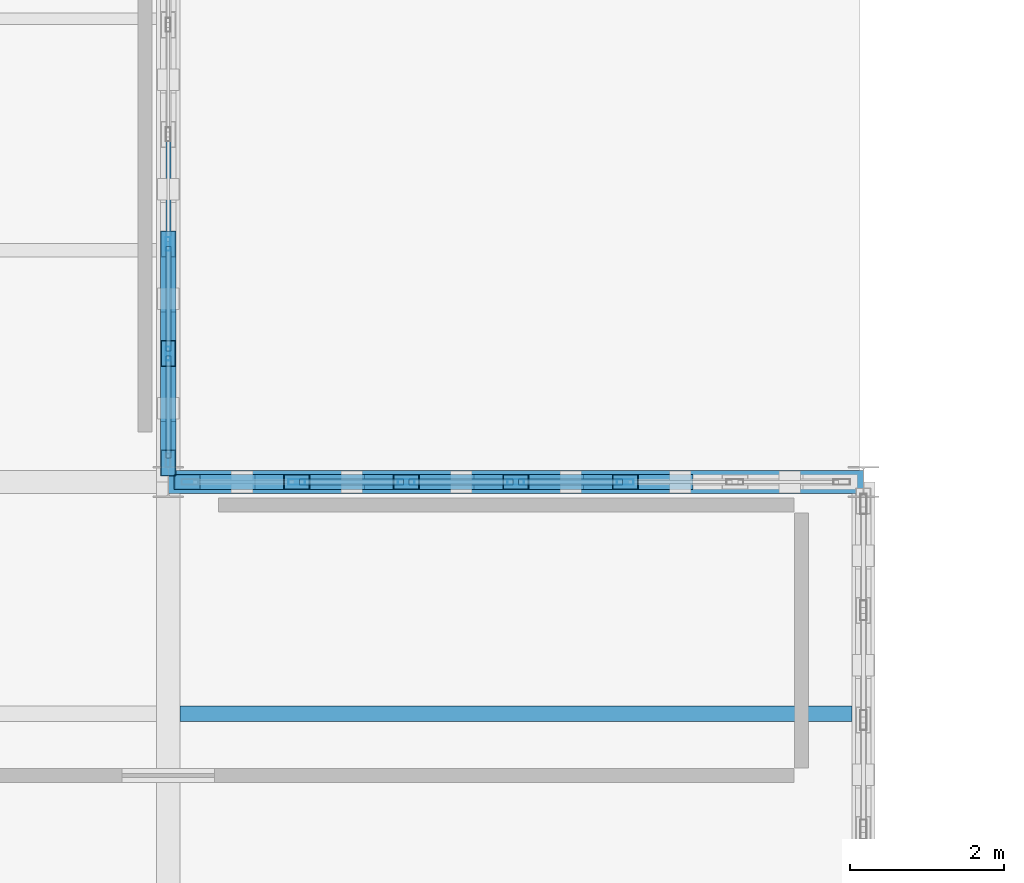
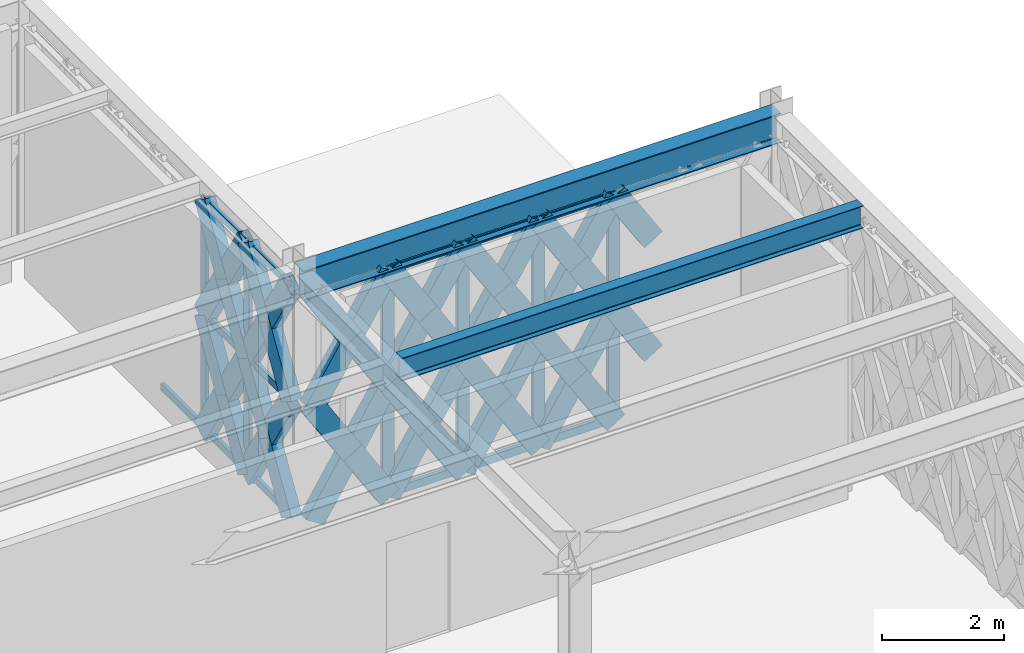
# One storey, part 97 of 140: 60 members, 2 beams, 2 elements without a shape of their own.
"""IFC4 building model written with IfcOpenShell, lengths in metres."""

from ifc_helpers import new_model, si_unit, direction, frame, origin, origin_2d, place, context, subcontext, project, spatial, hollow_rectangle, i_section, extrude, material, material_profile, profile_set, type_object, element, aggregate, save


model = new_model("IFC4")

# Units and contexts
model_context = context("Model", 3, precision=1e-05, world=origin(), true_north=direction((0.0, 1.0)))
body_context = subcontext(model_context, "Body", "Model", "MODEL_VIEW")
ifc_project = project(units=[si_unit("LENGTHUNIT", "METRE"), si_unit("AREAUNIT", "SQUARE_METRE"), si_unit("VOLUMEUNIT", "CUBIC_METRE"), si_unit("PLANEANGLEUNIT", "RADIAN"), si_unit("MASSUNIT", "GRAM", prefix="KILO")], contexts=[model_context])

# Site, building, storey
site_placement = place(None, origin())
site = spatial("IfcSite", under=ifc_project, at=site_placement, CompositionType="ELEMENT")
building_placement = place(site_placement, origin())
building = spatial("IfcBuilding", under=site, at=building_placement, Name="Haizhuo Lancet Aquarium", CompositionType="ELEMENT")
storey_placement = place(building_placement, origin())
storey = spatial("IfcBuildingStorey", under=building, at=storey_placement, Name="L00", CompositionType="ELEMENT", Elevation=0.0)

# Beam
ifc_material_1 = material(Name="Steel S355", Category="steel")
ifc_material_profile_1 = material_profile(ifc_material_1, i_section(OverallWidth=0.300048828125, OverallDepth=0.587890625, WebThickness=0.011962890625, FlangeThickness=0.02001953125, FilletRadius=0.02587890625, at=origin_2d()), Name="HM 588x300x12x20")
ifc_profile_set_1 = profile_set([ifc_material_profile_1], Name="Steel S355")
beam_type_1 = type_object("IfcBeamType", Name="BM-ST-HM588", PredefinedType="BEAM", material=ifc_profile_set_1)
beam_1_placement = place(storey_placement, frame((63.0, 27.0, 4.825927734375), z_axis=(1.0, 0.0, 0.0), x_axis=(0.0, 1.0, 0.0)))
element("IfcBeam", 1, at=beam_1_placement, inside=storey, type_object=beam_type_1, Name="L00 V7 primary girder BM-L00-V7-022", PredefinedType="BEAM", context=body_context, shape_type="SweptSolid", body=[
    extrude(i_section(OverallWidth=0.300048828125, OverallDepth=0.587890625, WebThickness=0.011962890625, FlangeThickness=0.02001953125, FilletRadius=0.02587890625, at=origin_2d()), origin(), (0.0, 0.0, 1.0), 9.0),
])

# Curtain wall, members
ifc_material_2 = material(Name="Aluminium 6063-T6", Category="aluminium")
curtain_wall_type_1 = type_object("IfcCurtainWallType", Name="CWD-8510x4630", PredefinedType="NOTDEFINED", material=ifc_material_2)
curtain_wall_1_placement = place(storey_placement, origin())
curtain_wall_1 = element("IfcCurtainWall", 2, at=curtain_wall_1_placement, inside=storey, type_object=curtain_wall_type_1, Name="L00 curtain wall CW-V7-L00-274", PredefinedType="NOTDEFINED")
ifc_material_profile_2 = material_profile(ifc_material_2, hollow_rectangle(XDim=0.06494140625, YDim=0.179931640625, WallThickness=0.00390625, at=origin_2d()), Name="ALU-M 65x180x4")
ifc_profile_set_2 = profile_set([ifc_material_profile_2], Name="Aluminium 6063-T6")
member_type_1 = type_object("IfcMemberType", Name="CW-MUL-1", PredefinedType="MULLION", material=ifc_profile_set_2)
member_1_placement = place(storey_placement, frame((63.0, 30.08203125, 0.0), z_axis=(0.0, 0.0, 1.0), x_axis=(1.0, 0.0, 0.0)))
member_1 = element("IfcMember", 3, at=member_1_placement, type_object=member_type_1, Name="CWD-85x46 mullion 5", PredefinedType="MULLION", context=body_context, shape_type="SweptSolid", body=[
    extrude(hollow_rectangle(XDim=0.06494140625, YDim=0.179931640625, WallThickness=0.00390625, at=origin_2d()), origin(), (0.0, 0.0, 1.0), 4.632080078125),
])
member_2_placement = place(storey_placement, frame((63.0, 28.6630859375, 0.0), z_axis=(0.0, 0.0, 1.0), x_axis=(1.0, 0.0, 0.0)))
member_2 = element("IfcMember", 4, at=member_2_placement, type_object=member_type_1, Name="CWD-85x46 mullion 6", PredefinedType="MULLION", context=body_context, shape_type="SweptSolid", body=[
    extrude(hollow_rectangle(XDim=0.06494140625, YDim=0.179931640625, WallThickness=0.00390625, at=origin_2d()), origin(), (0.0, 0.0, 1.0), 4.632080078125),
])

curtain_wall_type_2 = type_object("IfcCurtainWallType", Name="CWD-8510x4530", PredefinedType="NOTDEFINED", material=ifc_material_2)
curtain_wall_2_placement = place(storey_placement, origin())
curtain_wall_2 = element("IfcCurtainWall", 5, at=curtain_wall_2_placement, inside=storey, type_object=curtain_wall_type_2, Name="L00 curtain wall CW-V7-L00-275", PredefinedType="NOTDEFINED")
ifc_material_profile_3 = material_profile(ifc_material_2, hollow_rectangle(XDim=0.074951171875, YDim=0.219970703125, WallThickness=0.0048828125, at=origin_2d()), Name="ALU-M 75x220x5")
ifc_profile_set_3 = profile_set([ifc_material_profile_3], Name="Aluminium 6063-T6")
member_type_2 = type_object("IfcMemberType", Name="CW-MUL-2", PredefinedType="MULLION", material=ifc_profile_set_3)
member_3_placement = place(storey_placement, frame((64.6630859375, 27.0, 0.0), z_axis=(0.0, 0.0, 1.0), x_axis=(0.0, 1.0, 0.0)))
member_3 = element("IfcMember", 6, at=member_3_placement, type_object=member_type_2, Name="CWD-85x45 mullion 2", PredefinedType="MULLION", context=body_context, shape_type="SweptSolid", body=[
    extrude(hollow_rectangle(XDim=0.074951171875, YDim=0.219970703125, WallThickness=0.0048828125, at=origin_2d()), origin(), (0.0, 0.0, 1.0), 4.531982421875),
])
member_4_placement = place(storey_placement, frame((66.08203125, 27.0, 0.0), z_axis=(0.0, 0.0, 1.0), x_axis=(0.0, 1.0, 0.0)))
member_4 = element("IfcMember", 7, at=member_4_placement, type_object=member_type_2, Name="CWD-85x45 mullion 3", PredefinedType="MULLION", context=body_context, shape_type="SweptSolid", body=[
    extrude(hollow_rectangle(XDim=0.074951171875, YDim=0.219970703125, WallThickness=0.0048828125, at=origin_2d()), origin(), (0.0, 0.0, 1.0), 4.531982421875),
])
member_5_placement = place(storey_placement, frame((67.5, 27.0, 0.0), z_axis=(0.0, 0.0, 1.0), x_axis=(0.0, 1.0, 0.0)))
member_5 = element("IfcMember", 8, at=member_5_placement, type_object=member_type_2, Name="CWD-85x45 mullion 4", PredefinedType="MULLION", context=body_context, shape_type="SweptSolid", body=[
    extrude(hollow_rectangle(XDim=0.074951171875, YDim=0.219970703125, WallThickness=0.0048828125, at=origin_2d()), origin(), (0.0, 0.0, 1.0), 4.531982421875),
])
member_6_placement = place(storey_placement, frame((68.91796875, 27.0, 0.0), z_axis=(0.0, 0.0, 1.0), x_axis=(0.0, 1.0, 0.0)))
member_6 = element("IfcMember", 9, at=member_6_placement, type_object=member_type_2, Name="CWD-85x45 mullion 5", PredefinedType="MULLION", context=body_context, shape_type="SweptSolid", body=[
    extrude(hollow_rectangle(XDim=0.074951171875, YDim=0.219970703125, WallThickness=0.0048828125, at=origin_2d()), origin(), (0.0, 0.0, 1.0), 4.531982421875),
])

# Member
ifc_material_profile_4 = material_profile(ifc_material_2, hollow_rectangle(XDim=0.06494140625, YDim=0.139892578125, WallThickness=0.00390625, at=origin_2d()), Name="ALU-T 65x140x4")
ifc_profile_set_4 = profile_set([ifc_material_profile_4], Name="Aluminium 6063-T6")
member_type_3 = type_object("IfcMemberType", Name="CW-TRN-1", PredefinedType="NOTDEFINED", material=ifc_profile_set_4)
member_7_placement = place(storey_placement, frame((63.0, 31.468017578125, 0.032958984375), z_axis=(0.0, -1.0, 0.0), x_axis=(1.0, 0.0, 0.0)))
member_7 = element("IfcMember", 10, at=member_7_placement, type_object=member_type_3, Name="CWD-85x46 transom 4.1", ObjectType="TRANSOM", PredefinedType="USERDEFINED", context=body_context, shape_type="SweptSolid", body=[
    extrude(hollow_rectangle(XDim=0.06494140625, YDim=0.139892578125, WallThickness=0.00390625, at=origin_2d()), origin(), (0.0, 0.0, 1.0), 1.35400390625),
])

member_8_placement = place(storey_placement, frame((63.0, 30.049072265625, 0.032958984375), z_axis=(0.0, -1.0, 0.0), x_axis=(1.0, 0.0, 0.0)))
member_8 = element("IfcMember", 11, at=member_8_placement, type_object=member_type_3, Name="CWD-85x46 transom 5.1", ObjectType="TRANSOM", PredefinedType="USERDEFINED", context=body_context, shape_type="SweptSolid", body=[
    extrude(hollow_rectangle(XDim=0.06494140625, YDim=0.139892578125, WallThickness=0.00390625, at=origin_2d()), origin(), (0.0, 0.0, 1.0), 1.35302734375),
])

member_9_placement = place(storey_placement, frame((63.0, 30.049072265625, 2.31591796875), z_axis=(0.0, -1.0, 0.0), x_axis=(1.0, 0.0, 0.0)))
member_9 = element("IfcMember", 12, at=member_9_placement, type_object=member_type_3, Name="CWD-85x46 transom 5.2", ObjectType="TRANSOM", PredefinedType="USERDEFINED", context=body_context, shape_type="SweptSolid", body=[
    extrude(hollow_rectangle(XDim=0.06494140625, YDim=0.139892578125, WallThickness=0.00390625, at=origin_2d()), origin(), (0.0, 0.0, 1.0), 1.35302734375),
])

member_10_placement = place(storey_placement, frame((63.0, 30.049072265625, 4.59912109375), z_axis=(0.0, -1.0, 0.0), x_axis=(1.0, 0.0, 0.0)))
member_10 = element("IfcMember", 13, at=member_10_placement, type_object=member_type_3, Name="CWD-85x46 transom 5.3", ObjectType="TRANSOM", PredefinedType="USERDEFINED", context=body_context, shape_type="SweptSolid", body=[
    extrude(hollow_rectangle(XDim=0.06494140625, YDim=0.139892578125, WallThickness=0.00390625, at=origin_2d()), origin(), (0.0, 0.0, 1.0), 1.35302734375),
])

member_11_placement = place(storey_placement, frame((63.0, 28.631103515625, 0.032958984375), z_axis=(0.0, -1.0, 0.0), x_axis=(1.0, 0.0, 0.0)))
member_11 = element("IfcMember", 14, at=member_11_placement, type_object=member_type_3, Name="CWD-85x46 transom 6.1", ObjectType="TRANSOM", PredefinedType="USERDEFINED", context=body_context, shape_type="SweptSolid", body=[
    extrude(hollow_rectangle(XDim=0.06494140625, YDim=0.139892578125, WallThickness=0.00390625, at=origin_2d()), origin(), (0.0, 0.0, 1.0), 1.321044921875),
])

member_12_placement = place(storey_placement, frame((63.0, 28.631103515625, 2.31591796875), z_axis=(0.0, -1.0, 0.0), x_axis=(1.0, 0.0, 0.0)))
member_12 = element("IfcMember", 15, at=member_12_placement, type_object=member_type_3, Name="CWD-85x46 transom 6.2", ObjectType="TRANSOM", PredefinedType="USERDEFINED", context=body_context, shape_type="SweptSolid", body=[
    extrude(hollow_rectangle(XDim=0.06494140625, YDim=0.139892578125, WallThickness=0.00390625, at=origin_2d()), origin(), (0.0, 0.0, 1.0), 1.321044921875),
])

member_13_placement = place(storey_placement, frame((63.0, 28.631103515625, 4.59912109375), z_axis=(0.0, -1.0, 0.0), x_axis=(1.0, 0.0, 0.0)))
member_13 = element("IfcMember", 16, at=member_13_placement, type_object=member_type_3, Name="CWD-85x46 transom 6.3", ObjectType="TRANSOM", PredefinedType="USERDEFINED", context=body_context, shape_type="SweptSolid", body=[
    extrude(hollow_rectangle(XDim=0.06494140625, YDim=0.139892578125, WallThickness=0.00390625, at=origin_2d()), origin(), (0.0, 0.0, 1.0), 1.321044921875),
])

aggregate(curtain_wall_1, [member_1, member_2, member_7, member_8, member_9, member_10, member_11, member_12, member_13])

ifc_material_profile_5 = material_profile(ifc_material_2, hollow_rectangle(XDim=0.074951171875, YDim=0.159912109375, WallThickness=0.00390625, at=origin_2d()), Name="ALU-T 75x160x4")
ifc_profile_set_5 = profile_set([ifc_material_profile_5], Name="Aluminium 6063-T6")
member_type_4 = type_object("IfcMemberType", Name="CW-TRN-2", PredefinedType="NOTDEFINED", material=ifc_profile_set_5)
member_14_placement = place(storey_placement, frame((64.700927734375, 27.0, 0.037109375), z_axis=(1.0, 0.0, 0.0), x_axis=(0.0, 1.0, 0.0)))
member_14 = element("IfcMember", 17, at=member_14_placement, type_object=member_type_4, Name="CWD-85x45 transom 2.1", ObjectType="TRANSOM", PredefinedType="USERDEFINED", context=body_context, shape_type="SweptSolid", body=[
    extrude(hollow_rectangle(XDim=0.074951171875, YDim=0.159912109375, WallThickness=0.00390625, at=origin_2d()), origin(), (0.0, 0.0, 1.0), 1.343017578125),
])

member_15_placement = place(storey_placement, frame((64.700927734375, 27.0, 2.26611328125), z_axis=(1.0, 0.0, 0.0), x_axis=(0.0, 1.0, 0.0)))
member_15 = element("IfcMember", 18, at=member_15_placement, type_object=member_type_4, Name="CWD-85x45 transom 2.2", ObjectType="TRANSOM", PredefinedType="USERDEFINED", context=body_context, shape_type="SweptSolid", body=[
    extrude(hollow_rectangle(XDim=0.074951171875, YDim=0.159912109375, WallThickness=0.00390625, at=origin_2d()), origin(), (0.0, 0.0, 1.0), 1.343017578125),
])

member_16_placement = place(storey_placement, frame((64.700927734375, 27.0, 4.4951171875), z_axis=(1.0, 0.0, 0.0), x_axis=(0.0, 1.0, 0.0)))
member_16 = element("IfcMember", 19, at=member_16_placement, type_object=member_type_4, Name="CWD-85x45 transom 2.3", ObjectType="TRANSOM", PredefinedType="USERDEFINED", context=body_context, shape_type="SweptSolid", body=[
    extrude(hollow_rectangle(XDim=0.074951171875, YDim=0.159912109375, WallThickness=0.00390625, at=origin_2d()), origin(), (0.0, 0.0, 1.0), 1.343017578125),
])

member_17_placement = place(storey_placement, frame((66.118896484375, 27.0, 0.037109375), z_axis=(1.0, 0.0, 0.0), x_axis=(0.0, 1.0, 0.0)))
member_17 = element("IfcMember", 20, at=member_17_placement, type_object=member_type_4, Name="CWD-85x45 transom 3.1", ObjectType="TRANSOM", PredefinedType="USERDEFINED", context=body_context, shape_type="SweptSolid", body=[
    extrude(hollow_rectangle(XDim=0.074951171875, YDim=0.159912109375, WallThickness=0.00390625, at=origin_2d()), origin(), (0.0, 0.0, 1.0), 1.343017578125),
])

member_18_placement = place(storey_placement, frame((66.118896484375, 27.0, 2.26611328125), z_axis=(1.0, 0.0, 0.0), x_axis=(0.0, 1.0, 0.0)))
member_18 = element("IfcMember", 21, at=member_18_placement, type_object=member_type_4, Name="CWD-85x45 transom 3.2", ObjectType="TRANSOM", PredefinedType="USERDEFINED", context=body_context, shape_type="SweptSolid", body=[
    extrude(hollow_rectangle(XDim=0.074951171875, YDim=0.159912109375, WallThickness=0.00390625, at=origin_2d()), origin(), (0.0, 0.0, 1.0), 1.343017578125),
])

member_19_placement = place(storey_placement, frame((66.118896484375, 27.0, 4.4951171875), z_axis=(1.0, 0.0, 0.0), x_axis=(0.0, 1.0, 0.0)))
member_19 = element("IfcMember", 22, at=member_19_placement, type_object=member_type_4, Name="CWD-85x45 transom 3.3", ObjectType="TRANSOM", PredefinedType="USERDEFINED", context=body_context, shape_type="SweptSolid", body=[
    extrude(hollow_rectangle(XDim=0.074951171875, YDim=0.159912109375, WallThickness=0.00390625, at=origin_2d()), origin(), (0.0, 0.0, 1.0), 1.343017578125),
])

member_20_placement = place(storey_placement, frame((67.537109375, 27.0, 0.037109375), z_axis=(1.0, 0.0, 0.0), x_axis=(0.0, 1.0, 0.0)))
member_20 = element("IfcMember", 23, at=member_20_placement, type_object=member_type_4, Name="CWD-85x45 transom 4.1", ObjectType="TRANSOM", PredefinedType="USERDEFINED", context=body_context, shape_type="SweptSolid", body=[
    extrude(hollow_rectangle(XDim=0.074951171875, YDim=0.159912109375, WallThickness=0.00390625, at=origin_2d()), origin(), (0.0, 0.0, 1.0), 1.343994140625),
])

member_21_placement = place(storey_placement, frame((67.537109375, 27.0, 2.26611328125), z_axis=(1.0, 0.0, 0.0), x_axis=(0.0, 1.0, 0.0)))
member_21 = element("IfcMember", 24, at=member_21_placement, type_object=member_type_4, Name="CWD-85x45 transom 4.2", ObjectType="TRANSOM", PredefinedType="USERDEFINED", context=body_context, shape_type="SweptSolid", body=[
    extrude(hollow_rectangle(XDim=0.074951171875, YDim=0.159912109375, WallThickness=0.00390625, at=origin_2d()), origin(), (0.0, 0.0, 1.0), 1.343994140625),
])

member_22_placement = place(storey_placement, frame((67.537109375, 27.0, 4.4951171875), z_axis=(1.0, 0.0, 0.0), x_axis=(0.0, 1.0, 0.0)))
member_22 = element("IfcMember", 25, at=member_22_placement, type_object=member_type_4, Name="CWD-85x45 transom 4.3", ObjectType="TRANSOM", PredefinedType="USERDEFINED", context=body_context, shape_type="SweptSolid", body=[
    extrude(hollow_rectangle(XDim=0.074951171875, YDim=0.159912109375, WallThickness=0.00390625, at=origin_2d()), origin(), (0.0, 0.0, 1.0), 1.343994140625),
])

aggregate(curtain_wall_2, [member_3, member_4, member_5, member_6, member_14, member_15, member_16, member_17, member_18, member_19, member_20, member_21, member_22])

# Beam
ifc_material_profile_6 = material_profile(ifc_material_1, i_section(OverallWidth=0.199951171875, OverallDepth=0.449951171875, WebThickness=0.009033203125, FlangeThickness=0.013916015625, FilletRadius=0.01806640625, at=origin_2d()), Name="HN 450x200x9x14")
ifc_profile_set_6 = profile_set([ifc_material_profile_6], Name="Steel S355")
beam_type_2 = type_object("IfcBeamType", Name="JST-ST-HN450", PredefinedType="JOIST", material=ifc_profile_set_6)
beam_2_placement = place(storey_placement, frame((63.14990234375, 24.0, 4.89501953125), z_axis=(1.0, 0.0, 0.0), x_axis=(0.0, 1.0, 0.0)))
element("IfcBeam", 26, at=beam_2_placement, inside=storey, type_object=beam_type_2, Name="L00 V7 secondary floor joist 10", PredefinedType="JOIST", context=body_context, shape_type="SweptSolid", body=[
    extrude(i_section(OverallWidth=0.199951171875, OverallDepth=0.449951171875, WebThickness=0.009033203125, FlangeThickness=0.013916015625, FilletRadius=0.01806640625, at=origin_2d()), origin(), (0.0, 0.0, 1.0), 8.7001953125),
])

# Members
ifc_material_profile_7 = material_profile(ifc_material_1, hollow_rectangle(XDim=0.199951171875, YDim=0.39990234375, WallThickness=0.011962890625, at=origin_2d()), Name="RHS 200x400x12")
ifc_profile_set_7 = profile_set([ifc_material_profile_7], Name="Steel S355")
member_type_5 = type_object("IfcMemberType", Name="MEM-LB-RHS200x400", PredefinedType="BRACE", material=ifc_profile_set_7)
member_23_placement = place(storey_placement, frame((63.0, 30.08203125, 0.0), z_axis=(0.0, -0.522431366844, 0.852681339621), x_axis=(1.0, 0.0, 0.0)))
element("IfcMember", 27, at=member_23_placement, inside=storey, type_object=member_type_5, Name="Gothic lancet continuous diagonal brace CW-V7-L00-274 9A", PredefinedType="BRACE", context=body_context, shape_type="SweptSolid", body=[
    extrude(hollow_rectangle(XDim=0.199951171875, YDim=0.39990234375, WallThickness=0.011962890625, at=origin_2d()), origin(), (0.0, 0.0, 1.0), 2.716064453125),
])
member_24_placement = place(storey_placement, frame((63.0, 28.6630859375, 0.0), z_axis=(0.0, 0.522692712191, 0.85252116022), x_axis=(-1.0, 0.0, 0.0)))
element("IfcMember", 28, at=member_24_placement, inside=storey, type_object=member_type_5, Name="Gothic lancet split diagonal brace CW-V7-L00-274 9B1", PredefinedType="BRACE", context=body_context, shape_type="SweptSolid", body=[
    extrude(hollow_rectangle(XDim=0.199951171875, YDim=0.39990234375, WallThickness=0.011962890625, at=origin_2d()), origin(), (0.0, 0.0, 1.0), 1.358154296875),
])
member_25_placement = place(storey_placement, frame((63.0, 29.373046875, 1.157958984375), z_axis=(0.0, 0.52216987418, 0.852841499048), x_axis=(-1.0, 0.0, 0.0)))
element("IfcMember", 29, at=member_25_placement, inside=storey, type_object=member_type_5, Name="Gothic lancet split diagonal brace CW-V7-L00-274 9B2", PredefinedType="BRACE", context=body_context, shape_type="SweptSolid", body=[
    extrude(hollow_rectangle(XDim=0.199951171875, YDim=0.39990234375, WallThickness=0.011962890625, at=origin_2d()), origin(), (0.0, 0.0, 1.0), 1.357666015625),
])
member_26_placement = place(storey_placement, frame((63.0, 30.08203125, 2.31591796875), z_axis=(0.0, -0.522391326979, 0.852705870449), x_axis=(1.0, 0.0, 0.0)))
element("IfcMember", 30, at=member_26_placement, inside=storey, type_object=member_type_5, Name="Gothic lancet continuous diagonal brace CW-V7-L00-274 10A", PredefinedType="BRACE", context=body_context, shape_type="SweptSolid", body=[
    extrude(hollow_rectangle(XDim=0.199951171875, YDim=0.39990234375, WallThickness=0.011962890625, at=origin_2d()), origin(), (0.0, 0.0, 1.0), 2.71630859375),
])
member_27_placement = place(storey_placement, frame((63.0, 28.6630859375, 2.31591796875), z_axis=(0.0, 0.522612627479, 0.852570256108), x_axis=(-1.0, 0.0, 0.0)))
element("IfcMember", 31, at=member_27_placement, inside=storey, type_object=member_type_5, Name="Gothic lancet split diagonal brace CW-V7-L00-274 10B1", PredefinedType="BRACE", context=body_context, shape_type="SweptSolid", body=[
    extrude(hollow_rectangle(XDim=0.199951171875, YDim=0.39990234375, WallThickness=0.011962890625, at=origin_2d()), origin(), (0.0, 0.0, 1.0), 1.3583984375),
])
member_28_placement = place(storey_placement, frame((63.0, 29.373046875, 3.47412109375), z_axis=(0.0, 0.52216987418, 0.852841499048), x_axis=(-1.0, 0.0, 0.0)))
element("IfcMember", 32, at=member_28_placement, inside=storey, type_object=member_type_5, Name="Gothic lancet split diagonal brace CW-V7-L00-274 10B2", PredefinedType="BRACE", context=body_context, shape_type="SweptSolid", body=[
    extrude(hollow_rectangle(XDim=0.199951171875, YDim=0.39990234375, WallThickness=0.011962890625, at=origin_2d()), origin(), (0.0, 0.0, 1.0), 1.357666015625),
])
member_29_placement = place(storey_placement, frame((63.0, 28.6630859375, 0.0), z_axis=(0.0, -0.52216987418, 0.852841499048), x_axis=(1.0, 0.0, 0.0)))
element("IfcMember", 33, at=member_29_placement, inside=storey, type_object=member_type_5, Name="Gothic lancet continuous diagonal brace CW-V7-L00-274 11A", PredefinedType="BRACE", context=body_context, shape_type="SweptSolid", body=[
    extrude(hollow_rectangle(XDim=0.199951171875, YDim=0.39990234375, WallThickness=0.011962890625, at=origin_2d()), origin(), (0.0, 0.0, 1.0), 2.715576171875),
])
for number, where, z_axis, x_axis, name in (
    (34, (63.0, 27.2451171875, 0.0), (0.0, 0.52216987418, 0.852841499048), (-1.0, 0.0, 0.0), "Gothic lancet split diagonal brace CW-V7-L00-274 11B1"),
    (35, (63.0, 27.9541015625, 1.157958984375), (0.0, 0.52216987418, 0.852841499048), (-1.0, 0.0, 0.0), "Gothic lancet split diagonal brace CW-V7-L00-274 11B2"),
):
    element("IfcMember", number, at=place(storey_placement, frame(where, z_axis=z_axis, x_axis=x_axis)), inside=storey, type_object=member_type_5, Name=name, PredefinedType="BRACE", context=body_context, shape_type="SweptSolid", body=[
        extrude(hollow_rectangle(XDim=0.199951171875, YDim=0.39990234375, WallThickness=0.011962890625, at=origin_2d()), origin(), (0.0, 0.0, 1.0), 1.357666015625),
    ])
member_30_placement = place(storey_placement, frame((63.0, 28.6630859375, 2.31591796875), z_axis=(0.0, -0.522129839323, 0.852866009927), x_axis=(1.0, 0.0, 0.0)))
element("IfcMember", 36, at=member_30_placement, inside=storey, type_object=member_type_5, Name="Gothic lancet continuous diagonal brace CW-V7-L00-274 12A", PredefinedType="BRACE", context=body_context, shape_type="SweptSolid", body=[
    extrude(hollow_rectangle(XDim=0.199951171875, YDim=0.39990234375, WallThickness=0.011962890625, at=origin_2d()), origin(), (0.0, 0.0, 1.0), 2.7158203125),
])
member_31_placement = place(storey_placement, frame((63.0, 27.2451171875, 2.31591796875), z_axis=(0.0, 0.522089809454, 0.852890515168), x_axis=(-1.0, 0.0, 0.0)))
element("IfcMember", 37, at=member_31_placement, inside=storey, type_object=member_type_5, Name="Gothic lancet split diagonal brace CW-V7-L00-274 12B1", PredefinedType="BRACE", context=body_context, shape_type="SweptSolid", body=[
    extrude(hollow_rectangle(XDim=0.199951171875, YDim=0.39990234375, WallThickness=0.011962890625, at=origin_2d()), origin(), (0.0, 0.0, 1.0), 1.35791015625),
])
member_32_placement = place(storey_placement, frame((63.0, 27.9541015625, 3.47412109375), z_axis=(0.0, 0.52216987418, 0.852841499048), x_axis=(-1.0, 0.0, 0.0)))
element("IfcMember", 38, at=member_32_placement, inside=storey, type_object=member_type_5, Name="Gothic lancet split diagonal brace CW-V7-L00-274 12B2", PredefinedType="BRACE", context=body_context, shape_type="SweptSolid", body=[
    extrude(hollow_rectangle(XDim=0.199951171875, YDim=0.39990234375, WallThickness=0.011962890625, at=origin_2d()), origin(), (0.0, 0.0, 1.0), 1.357666015625),
])
member_33_placement = place(storey_placement, frame((63.2451171875, 27.0, 0.0), z_axis=(0.530442175185, 0.0, 0.847721120879), x_axis=(0.0, 1.0, 0.0)))
element("IfcMember", 39, at=member_33_placement, inside=storey, type_object=member_type_5, Name="Gothic lancet continuous diagonal brace CW-V7-L00-275 1A", PredefinedType="BRACE", context=body_context, shape_type="SweptSolid", body=[
    extrude(hollow_rectangle(XDim=0.199951171875, YDim=0.39990234375, WallThickness=0.011962890625, at=origin_2d()), origin(), (0.0, 0.0, 1.0), 2.673095703125),
])
for number, where, z_axis, x_axis, name in (
    (40, (64.6630859375, 27.0, 0.0), (-0.530442175185, 0.0, 0.847721120879), (0.0, -1.0, 0.0), "Gothic lancet split diagonal brace CW-V7-L00-275 1B1"),
    (41, (63.9541015625, 27.0, 1.133056640625), (-0.530442175185, 0.0, 0.847721120879), (0.0, -1.0, 0.0), "Gothic lancet split diagonal brace CW-V7-L00-275 1B2"),
):
    element("IfcMember", number, at=place(storey_placement, frame(where, z_axis=z_axis, x_axis=x_axis)), inside=storey, type_object=member_type_5, Name=name, PredefinedType="BRACE", context=body_context, shape_type="SweptSolid", body=[
        extrude(hollow_rectangle(XDim=0.199951171875, YDim=0.39990234375, WallThickness=0.011962890625, at=origin_2d()), origin(), (0.0, 0.0, 1.0), 1.336669921875),
    ])
member_34_placement = place(storey_placement, frame((63.2451171875, 27.0, 2.26611328125), z_axis=(0.530483245642, 0.0, 0.847695420592), x_axis=(0.0, 1.0, 0.0)))
element("IfcMember", 42, at=member_34_placement, inside=storey, type_object=member_type_5, Name="Gothic lancet continuous diagonal brace CW-V7-L00-275 2A", PredefinedType="BRACE", context=body_context, shape_type="SweptSolid", body=[
    extrude(hollow_rectangle(XDim=0.199951171875, YDim=0.39990234375, WallThickness=0.011962890625, at=origin_2d()), origin(), (0.0, 0.0, 1.0), 2.673095703125),
])
member_35_placement = place(storey_placement, frame((64.6630859375, 27.0, 2.26611328125), z_axis=(-0.530524321213, 0.0, 0.847669714335), x_axis=(0.0, -1.0, 0.0)))
element("IfcMember", 43, at=member_35_placement, inside=storey, type_object=member_type_5, Name="Gothic lancet split diagonal brace CW-V7-L00-275 2B1", PredefinedType="BRACE", context=body_context, shape_type="SweptSolid", body=[
    extrude(hollow_rectangle(XDim=0.199951171875, YDim=0.39990234375, WallThickness=0.011962890625, at=origin_2d()), origin(), (0.0, 0.0, 1.0), 1.33642578125),
])
member_36_placement = place(storey_placement, frame((63.9541015625, 27.0, 3.39892578125), z_axis=(-0.530442175185, 0.0, 0.847721120879), x_axis=(0.0, -1.0, 0.0)))
element("IfcMember", 44, at=member_36_placement, inside=storey, type_object=member_type_5, Name="Gothic lancet split diagonal brace CW-V7-L00-275 2B2", PredefinedType="BRACE", context=body_context, shape_type="SweptSolid", body=[
    extrude(hollow_rectangle(XDim=0.199951171875, YDim=0.39990234375, WallThickness=0.011962890625, at=origin_2d()), origin(), (0.0, 0.0, 1.0), 1.336669921875),
])
member_37_placement = place(storey_placement, frame((64.6630859375, 27.0, 0.0), z_axis=(0.530704627976, 0.0, 0.84755684048), x_axis=(0.0, 1.0, 0.0)))
element("IfcMember", 45, at=member_37_placement, inside=storey, type_object=member_type_5, Name="Gothic lancet continuous diagonal brace CW-V7-L00-275 3A", PredefinedType="BRACE", context=body_context, shape_type="SweptSolid", body=[
    extrude(hollow_rectangle(XDim=0.199951171875, YDim=0.39990234375, WallThickness=0.011962890625, at=origin_2d()), origin(), (0.0, 0.0, 1.0), 2.673583984375),
])
member_38_placement = place(storey_placement, frame((66.08203125, 27.0, 0.0), z_axis=(-0.530442175185, 0.0, 0.847721120879), x_axis=(0.0, -1.0, 0.0)))
element("IfcMember", 46, at=member_38_placement, inside=storey, type_object=member_type_5, Name="Gothic lancet split diagonal brace CW-V7-L00-275 3B1", PredefinedType="BRACE", context=body_context, shape_type="SweptSolid", body=[
    extrude(hollow_rectangle(XDim=0.199951171875, YDim=0.39990234375, WallThickness=0.011962890625, at=origin_2d()), origin(), (0.0, 0.0, 1.0), 1.336669921875),
])
member_39_placement = place(storey_placement, frame((65.373046875, 27.0, 1.133056640625), z_axis=(-0.530966928191, 0.0, 0.847392542549), x_axis=(0.0, -1.0, 0.0)))
element("IfcMember", 47, at=member_39_placement, inside=storey, type_object=member_type_5, Name="Gothic lancet split diagonal brace CW-V7-L00-275 3B2", PredefinedType="BRACE", context=body_context, shape_type="SweptSolid", body=[
    extrude(hollow_rectangle(XDim=0.199951171875, YDim=0.39990234375, WallThickness=0.011962890625, at=origin_2d()), origin(), (0.0, 0.0, 1.0), 1.337158203125),
])
member_40_placement = place(storey_placement, frame((64.6630859375, 27.0, 2.26611328125), z_axis=(0.530745702827, 0.0, 0.847531119742), x_axis=(0.0, 1.0, 0.0)))
element("IfcMember", 48, at=member_40_placement, inside=storey, type_object=member_type_5, Name="Gothic lancet continuous diagonal brace CW-V7-L00-275 4A", PredefinedType="BRACE", context=body_context, shape_type="SweptSolid", body=[
    extrude(hollow_rectangle(XDim=0.199951171875, YDim=0.39990234375, WallThickness=0.011962890625, at=origin_2d()), origin(), (0.0, 0.0, 1.0), 2.673583984375),
])
member_41_placement = place(storey_placement, frame((66.08203125, 27.0, 2.26611328125), z_axis=(-0.530524321213, 0.0, 0.847669714335), x_axis=(0.0, -1.0, 0.0)))
element("IfcMember", 49, at=member_41_placement, inside=storey, type_object=member_type_5, Name="Gothic lancet split diagonal brace CW-V7-L00-275 4B1", PredefinedType="BRACE", context=body_context, shape_type="SweptSolid", body=[
    extrude(hollow_rectangle(XDim=0.199951171875, YDim=0.39990234375, WallThickness=0.011962890625, at=origin_2d()), origin(), (0.0, 0.0, 1.0), 1.33642578125),
])
member_42_placement = place(storey_placement, frame((65.373046875, 27.0, 3.39892578125), z_axis=(-0.530966928191, 0.0, 0.847392542549), x_axis=(0.0, -1.0, 0.0)))
element("IfcMember", 50, at=member_42_placement, inside=storey, type_object=member_type_5, Name="Gothic lancet split diagonal brace CW-V7-L00-275 4B2", PredefinedType="BRACE", context=body_context, shape_type="SweptSolid", body=[
    extrude(hollow_rectangle(XDim=0.199951171875, YDim=0.39990234375, WallThickness=0.011962890625, at=origin_2d()), origin(), (0.0, 0.0, 1.0), 1.337158203125),
])
member_43_placement = place(storey_placement, frame((66.08203125, 27.0, 0.0), z_axis=(0.530442175185, 0.0, 0.847721120879), x_axis=(0.0, 1.0, 0.0)))
element("IfcMember", 51, at=member_43_placement, inside=storey, type_object=member_type_5, Name="Gothic lancet continuous diagonal brace CW-V7-L00-275 5A", PredefinedType="BRACE", context=body_context, shape_type="SweptSolid", body=[
    extrude(hollow_rectangle(XDim=0.199951171875, YDim=0.39990234375, WallThickness=0.011962890625, at=origin_2d()), origin(), (0.0, 0.0, 1.0), 2.673095703125),
])
for number, where, z_axis, x_axis, name in (
    (52, (67.5, 27.0, 0.0), (-0.530442175185, 0.0, 0.847721120879), (0.0, -1.0, 0.0), "Gothic lancet split diagonal brace CW-V7-L00-275 5B1"),
    (53, (66.791015625, 27.0, 1.133056640625), (-0.530442175185, 0.0, 0.847721120879), (0.0, -1.0, 0.0), "Gothic lancet split diagonal brace CW-V7-L00-275 5B2"),
):
    element("IfcMember", number, at=place(storey_placement, frame(where, z_axis=z_axis, x_axis=x_axis)), inside=storey, type_object=member_type_5, Name=name, PredefinedType="BRACE", context=body_context, shape_type="SweptSolid", body=[
        extrude(hollow_rectangle(XDim=0.199951171875, YDim=0.39990234375, WallThickness=0.011962890625, at=origin_2d()), origin(), (0.0, 0.0, 1.0), 1.336669921875),
    ])
member_44_placement = place(storey_placement, frame((66.08203125, 27.0, 2.26611328125), z_axis=(0.530483245642, 0.0, 0.847695420592), x_axis=(0.0, 1.0, 0.0)))
element("IfcMember", 54, at=member_44_placement, inside=storey, type_object=member_type_5, Name="Gothic lancet continuous diagonal brace CW-V7-L00-275 6A", PredefinedType="BRACE", context=body_context, shape_type="SweptSolid", body=[
    extrude(hollow_rectangle(XDim=0.199951171875, YDim=0.39990234375, WallThickness=0.011962890625, at=origin_2d()), origin(), (0.0, 0.0, 1.0), 2.673095703125),
])
member_45_placement = place(storey_placement, frame((67.5, 27.0, 2.26611328125), z_axis=(-0.530524321213, 0.0, 0.847669714335), x_axis=(0.0, -1.0, 0.0)))
element("IfcMember", 55, at=member_45_placement, inside=storey, type_object=member_type_5, Name="Gothic lancet split diagonal brace CW-V7-L00-275 6B1", PredefinedType="BRACE", context=body_context, shape_type="SweptSolid", body=[
    extrude(hollow_rectangle(XDim=0.199951171875, YDim=0.39990234375, WallThickness=0.011962890625, at=origin_2d()), origin(), (0.0, 0.0, 1.0), 1.33642578125),
])
member_46_placement = place(storey_placement, frame((66.791015625, 27.0, 3.39892578125), z_axis=(-0.530442175185, 0.0, 0.847721120879), x_axis=(0.0, -1.0, 0.0)))
element("IfcMember", 56, at=member_46_placement, inside=storey, type_object=member_type_5, Name="Gothic lancet split diagonal brace CW-V7-L00-275 6B2", PredefinedType="BRACE", context=body_context, shape_type="SweptSolid", body=[
    extrude(hollow_rectangle(XDim=0.199951171875, YDim=0.39990234375, WallThickness=0.011962890625, at=origin_2d()), origin(), (0.0, 0.0, 1.0), 1.336669921875),
])
member_47_placement = place(storey_placement, frame((67.5, 27.0, 0.0), z_axis=(0.530442175185, 0.0, 0.847721120879), x_axis=(0.0, 1.0, 0.0)))
element("IfcMember", 57, at=member_47_placement, inside=storey, type_object=member_type_5, Name="Gothic lancet continuous diagonal brace CW-V7-L00-275 7A", PredefinedType="BRACE", context=body_context, shape_type="SweptSolid", body=[
    extrude(hollow_rectangle(XDim=0.199951171875, YDim=0.39990234375, WallThickness=0.011962890625, at=origin_2d()), origin(), (0.0, 0.0, 1.0), 2.673095703125),
])
for number, where, z_axis, x_axis, name in (
    (58, (68.91796875, 27.0, 0.0), (-0.530442175185, 0.0, 0.847721120879), (0.0, -1.0, 0.0), "Gothic lancet split diagonal brace CW-V7-L00-275 7B1"),
    (59, (68.208984375, 27.0, 1.133056640625), (-0.530442175185, 0.0, 0.847721120879), (0.0, -1.0, 0.0), "Gothic lancet split diagonal brace CW-V7-L00-275 7B2"),
):
    element("IfcMember", number, at=place(storey_placement, frame(where, z_axis=z_axis, x_axis=x_axis)), inside=storey, type_object=member_type_5, Name=name, PredefinedType="BRACE", context=body_context, shape_type="SweptSolid", body=[
        extrude(hollow_rectangle(XDim=0.199951171875, YDim=0.39990234375, WallThickness=0.011962890625, at=origin_2d()), origin(), (0.0, 0.0, 1.0), 1.336669921875),
    ])
member_48_placement = place(storey_placement, frame((67.5, 27.0, 2.26611328125), z_axis=(0.530483245642, 0.0, 0.847695420592), x_axis=(0.0, 1.0, 0.0)))
element("IfcMember", 60, at=member_48_placement, inside=storey, type_object=member_type_5, Name="Gothic lancet continuous diagonal brace CW-V7-L00-275 8A", PredefinedType="BRACE", context=body_context, shape_type="SweptSolid", body=[
    extrude(hollow_rectangle(XDim=0.199951171875, YDim=0.39990234375, WallThickness=0.011962890625, at=origin_2d()), origin(), (0.0, 0.0, 1.0), 2.673095703125),
])
member_49_placement = place(storey_placement, frame((68.91796875, 27.0, 2.26611328125), z_axis=(-0.530524321213, 0.0, 0.847669714335), x_axis=(0.0, -1.0, 0.0)))
element("IfcMember", 61, at=member_49_placement, inside=storey, type_object=member_type_5, Name="Gothic lancet split diagonal brace CW-V7-L00-275 8B1", PredefinedType="BRACE", context=body_context, shape_type="SweptSolid", body=[
    extrude(hollow_rectangle(XDim=0.199951171875, YDim=0.39990234375, WallThickness=0.011962890625, at=origin_2d()), origin(), (0.0, 0.0, 1.0), 1.33642578125),
])
for number, where, z_axis, x_axis, name in (
    (62, (68.208984375, 27.0, 3.39892578125), (-0.530442175185, 0.0, 0.847721120879), (0.0, -1.0, 0.0), "Gothic lancet split diagonal brace CW-V7-L00-275 8B2"),
    (63, (69.626953125, 27.0, 1.133056640625), (-0.530442175185, 0.0, 0.847721120879), (0.0, -1.0, 0.0), "Gothic lancet split diagonal brace CW-V7-L00-275 9B2"),
    (64, (69.626953125, 27.0, 3.39892578125), (-0.530442175185, 0.0, 0.847721120879), (0.0, -1.0, 0.0), "Gothic lancet split diagonal brace CW-V7-L00-275 10B2"),
):
    element("IfcMember", number, at=place(storey_placement, frame(where, z_axis=z_axis, x_axis=x_axis)), inside=storey, type_object=member_type_5, Name=name, PredefinedType="BRACE", context=body_context, shape_type="SweptSolid", body=[
        extrude(hollow_rectangle(XDim=0.199951171875, YDim=0.39990234375, WallThickness=0.011962890625, at=origin_2d()), origin(), (0.0, 0.0, 1.0), 1.336669921875),
    ])

save(model, "model.ifc")
